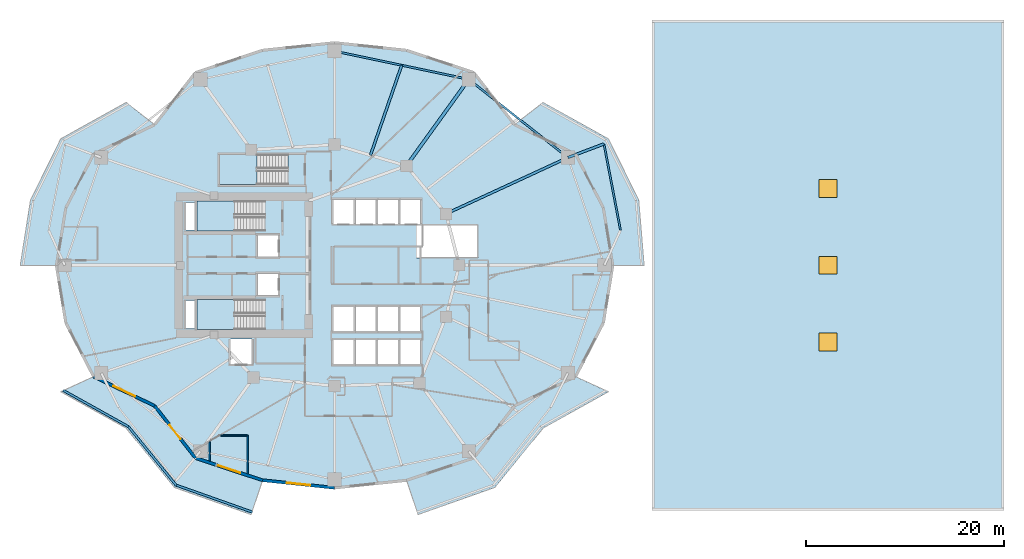
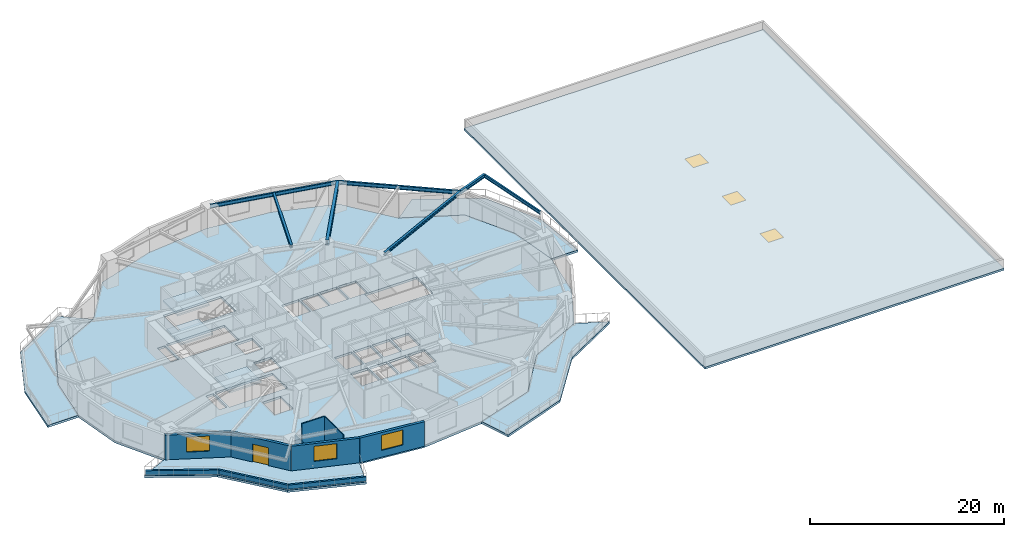
# One storey, part 2 of 13: 10 walls, 9 slabs, 7 beams, 6 windows, 1 door, 7 openings, 3 elements without a shape of their own.
"""IFC4 building model written with IfcOpenShell, lengths in metres."""

from ifc_helpers import new_model, si_unit, direction, frame, frame_2d, origin, origin_2d, place, context, subcontext, project, spatial, polyline, rectangle, i_section, outline, extrude, material, layer, layer_set, material_profile, profile_set, type_object, element, fill, aggregate, save


model = new_model("IFC4")

# Units and contexts
model_context = context("Model", 3, precision=1e-05, world=origin(), true_north=direction((0.0, 1.0)))
body_context = subcontext(model_context, "Body", "Model", "MODEL_VIEW")
ifc_project = project(units=[si_unit("LENGTHUNIT", "METRE"), si_unit("AREAUNIT", "SQUARE_METRE"), si_unit("VOLUMEUNIT", "CUBIC_METRE"), si_unit("PLANEANGLEUNIT", "RADIAN"), si_unit("MASSUNIT", "GRAM", prefix="KILO")], contexts=[model_context])

# Site, building, storey
site_placement = place(None, origin())
site = spatial("IfcSite", under=ifc_project, at=site_placement, CompositionType="ELEMENT")
building_placement = place(site_placement, origin())
building = spatial("IfcBuilding", under=site, at=building_placement, Name="Kolvaren Gate Tower and Convention Centre", CompositionType="ELEMENT")
storey_placement = place(building_placement, frame((0.0, 0.0, 26.5)))
storey = spatial("IfcBuildingStorey", under=building, at=storey_placement, Name="L05", CompositionType="ELEMENT", Elevation=26.5)

# Beams
ifc_material_1 = material(Name="Structural steel ASTM A992 Grade 345 MPa", Category="steel")
ifc_material_profile_1 = material_profile(ifc_material_1, i_section(OverallWidth=0.260009765625, OverallDepth=0.419921875, WebThickness=0.013427734375, FlangeThickness=0.0224609375, at=origin_2d()), Name="W410X132")
ifc_profile_set_1 = profile_set([ifc_material_profile_1], Name="Structural steel ASTM A992 Grade 345 MPa")
beam_type_1 = type_object("IfcBeamType", Name="STR-BM-W410X132", PredefinedType="BEAM", material=ifc_profile_set_1)
beam_1_placement = place(storey_placement, frame((53.710205078125, 37.8935546875, 3.360595703125), z_axis=(0.935293537157, 0.35387285761, 0.0), x_axis=(-0.35387285761, 0.935293537157, 0.0)))
element("IfcBeam", 1, at=beam_1_placement, inside=storey, type_object=beam_type_1, Name="Tower L06 Planted Balcony Outrigger Cantilever BC-1B", PredefinedType="BEAM", context=body_context, shape_type="SweptSolid", body=[
    extrude(i_section(OverallWidth=0.260009765625, OverallDepth=0.419921875, WebThickness=0.013427734375, FlangeThickness=0.0224609375, at=origin_2d()), origin(), (0.0, 0.0, 1.0), 3.900146484375),
])
ifc_material_profile_2 = material_profile(ifc_material_1, i_section(OverallWidth=0.327880859375, OverallDepth=0.6279296875, WebThickness=0.0166015625, FlangeThickness=0.027587890625, at=origin_2d()), Name="W610X217")
ifc_profile_set_2 = profile_set([ifc_material_profile_2], Name="Structural steel ASTM A992 Grade 345 MPa")
beam_type_2 = type_object("IfcBeamType", Name="STR-BM-W610X217", PredefinedType="BEAM", material=ifc_profile_set_2)
beam_2_placement = place(storey_placement, frame((37.381591796875, 37.054931640625, 3.256103515625), z_axis=(0.585205244783, 0.81088520857, 0.0), x_axis=(-0.81088520857, 0.585205244783, 0.0)))
element("IfcBeam", 2, at=beam_2_placement, inside=storey, type_object=beam_type_2, Name="Tower L05 Radial Floor Girder RB-03", PredefinedType="BEAM", context=body_context, shape_type="SweptSolid", body=[
    extrude(i_section(OverallWidth=0.327880859375, OverallDepth=0.6279296875, WebThickness=0.0166015625, FlangeThickness=0.027587890625, at=origin_2d()), origin(), (0.0, 0.0, 1.0), 10.780029296875),
])
ifc_material_profile_3 = material_profile(ifc_material_1, i_section(OverallWidth=0.2548828125, OverallDepth=0.35693359375, WebThickness=0.010498046875, FlangeThickness=0.018310546875, at=origin_2d()), Name="W360X101")
ifc_profile_set_3 = profile_set([ifc_material_profile_3], Name="Structural steel ASTM A992 Grade 345 MPa")
beam_type_3 = type_object("IfcBeamType", Name="STR-JS-W360X101", PredefinedType="JOIST", material=ifc_profile_set_3)
beam_3_placement = place(storey_placement, frame((41.382080078125, 32.199462890625, 3.3916015625), z_axis=(0.907842006347, 0.419312403241, 0.0), x_axis=(-0.419312403241, 0.907842006347, 0.0)))
element("IfcBeam", 3, at=beam_3_placement, inside=storey, type_object=beam_type_3, Name="Tower L05 Radial Floor Girder RB-02", PredefinedType="JOIST", context=body_context, shape_type="SweptSolid", body=[
    extrude(i_section(OverallWidth=0.2548828125, OverallDepth=0.35693359375, WebThickness=0.010498046875, FlangeThickness=0.018310546875, at=origin_2d()), origin(), (0.0, 0.0, 1.0), 13.57958984375),
])
beam_4_placement = place(storey_placement, frame((33.75341796875, 38.12744140625, 3.3916015625), z_axis=(0.327647050942, 0.944800195813, 0.0), x_axis=(-0.944800195813, 0.327647050942, 0.0)))
element("IfcBeam", 4, at=beam_4_placement, inside=storey, type_object=beam_type_3, Name="Tower L05 Secondary Composite Floor Joist J-03.1", PredefinedType="JOIST", context=body_context, shape_type="SweptSolid", body=[
    extrude(i_section(OverallWidth=0.2548828125, OverallDepth=0.35693359375, WebThickness=0.010498046875, FlangeThickness=0.018310546875, at=origin_2d()), origin(), (0.0, 0.0, 1.0), 9.627197265625),
])
ifc_material_profile_4 = material_profile(ifc_material_1, i_section(OverallWidth=0.180908203125, OverallDepth=0.4169921875, WebThickness=0.010986328125, FlangeThickness=0.018310546875, at=origin_2d()), Name="W410X85")
ifc_profile_set_4 = profile_set([ifc_material_profile_4], Name="Structural steel ASTM A992 Grade 345 MPa")
beam_type_4 = type_object("IfcBeamType", Name="STR-SP-W410X85", PredefinedType="SPANDREL", material=ifc_profile_set_4)
beam_5_placement = place(storey_placement, frame((59.029296875, 30.543212890625, 3.362060546875), z_axis=(-0.188028301932, 0.98216361044, 0.0), x_axis=(-0.98216361044, -0.188028301932, 0.0)))
element("IfcBeam", 5, at=beam_5_placement, inside=storey, type_object=beam_type_4, Name="Tower L06 Planted Balcony Header Tie Beam BT-1", PredefinedType="SPANDREL", context=body_context, shape_type="SweptSolid", body=[
    extrude(i_section(OverallWidth=0.180908203125, OverallDepth=0.4169921875, WebThickness=0.010986328125, FlangeThickness=0.018310546875, at=origin_2d()), origin(), (0.0, 0.0, 1.0), 8.888916015625),
])
ifc_material_profile_5 = material_profile(ifc_material_1, i_section(OverallWidth=0.194091796875, OverallDepth=0.468994140625, WebThickness=0.0126953125, FlangeThickness=0.0205078125, at=origin_2d()), Name="W460X106")
ifc_profile_set_5 = profile_set([ifc_material_profile_5], Name="Structural steel ASTM A992 Grade 345 MPa")
beam_type_5 = type_object("IfcBeamType", Name="STR-SP-W460X106", PredefinedType="SPANDREL", material=ifc_profile_set_5)
beam_6_placement = place(storey_placement, frame((53.710205078125, 37.8935546875, 3.33544921875), z_axis=(-0.785176498861, 0.619272044933, 0.0), x_axis=(-0.619272044933, -0.785176498861, 0.0)))
element("IfcBeam", 6, at=beam_6_placement, inside=storey, type_object=beam_type_5, Name="Tower L05 Perimeter Spandrel Beam SP-02", PredefinedType="SPANDREL", context=body_context, shape_type="SweptSolid", body=[
    extrude(i_section(OverallWidth=0.194091796875, OverallDepth=0.468994140625, WebThickness=0.0126953125, FlangeThickness=0.0205078125, at=origin_2d()), origin(), (0.0, 0.0, 1.0), 12.761474609375),
])
beam_7_placement = place(storey_placement, frame((43.690185546875, 45.79638671875, 3.33544921875), z_axis=(-0.978583407863, 0.205850707685, 0.0), x_axis=(-0.205850707685, -0.978583407863, 0.0)))
element("IfcBeam", 7, at=beam_7_placement, inside=storey, type_object=beam_type_5, Name="Tower L05 Perimeter Spandrel Beam SP-03", PredefinedType="SPANDREL", context=body_context, shape_type="SweptSolid", body=[
    extrude(i_section(OverallWidth=0.194091796875, OverallDepth=0.468994140625, WebThickness=0.0126953125, FlangeThickness=0.0205078125, at=origin_2d()), origin(), (0.0, 0.0, 1.0), 13.862060546875),
])

# Slabs
ifc_material_2 = material(Name="Concrete C50/60", Category="concrete")
ifc_layer_1 = layer(ifc_material_2, 0.27001953125)
ifc_layer_set_1 = layer_set([ifc_layer_1], Name="Concrete C50/60")
slab_type_1 = type_object("IfcSlabType", Name="STR-SL-BALC-270", PredefinedType="FLOOR", material=ifc_layer_set_1)
slab_1_placement = place(storey_placement, frame((0.0, 0.0, -0.27001953125)))
element("IfcSlab", 8, at=slab_1_placement, inside=storey, type_object=slab_type_1, Name="Tower L05 Planted Balcony Terrace Slab 1 (East)", PredefinedType="FLOOR", context=body_context, shape_type="SweptSolid", body=[
    extrude(outline(polyline([(58.25, 27.0), (57.291748046875, 32.823486328125), (54.48193359375, 38.25), (48.315185546875, 41.212890625), (51.19921875, 43.46630859375), (57.8046875, 39.78466796875), (60.870361328125, 33.590576171875), (61.419921875, 27.0), (58.25, 27.0)])), origin(), (0.0, 0.0, 1.0), 0.27001953125),
])
slab_2_placement = place(storey_placement, frame((0.0, 0.0, -0.27001953125)))
element("IfcSlab", 9, at=slab_2_placement, inside=storey, type_object=slab_type_1, Name="Tower L05 Planted Balcony Terrace Slab 2 (West)", PredefinedType="FLOOR", context=body_context, shape_type="SweptSolid", body=[
    extrude(outline(polyline([(11.934814453125, 41.212890625), (5.76806640625, 38.25), (2.958251953125, 32.823486328125), (2.0, 27.0), (-1.659912109375, 27.0), (-0.620361328125, 33.590576171875), (2.4453125, 39.78466796875), (9.05078125, 43.46630859375), (11.934814453125, 41.212890625)])), origin(), (0.0, 0.0, 1.0), 0.27001953125),
])
slab_3_placement = place(storey_placement, frame((0.0, 0.0, -0.27001953125)))
element("IfcSlab", 10, at=slab_3_placement, inside=storey, type_object=slab_type_1, Name="Tower L05 Planted Balcony Terrace Slab 3 (South)", PredefinedType="FLOOR", context=body_context, shape_type="SweptSolid", body=[
    extrude(outline(polyline([(5.76806640625, 15.75), (11.934814453125, 12.787109375), (16.0625, 7.514404296875), (22.845703125, 5.2666015625), (21.683349609375, 1.796142578125), (13.920654296875, 4.546630859375), (9.05078125, 10.53369140625), (2.4453125, 14.21533203125), (5.76806640625, 15.75)])), origin(), (0.0, 0.0, 1.0), 0.27001953125),
])
slab_4_placement = place(storey_placement, frame((0.0, 0.0, -0.27001953125)))
element("IfcSlab", 11, at=slab_4_placement, inside=storey, type_object=slab_type_1, Name="Tower L05 Planted Balcony Terrace Slab 4 (South)", PredefinedType="FLOOR", context=body_context, shape_type="SweptSolid", body=[
    extrude(outline(polyline([(37.404296875, 5.2666015625), (44.1875, 7.514404296875), (48.315185546875, 12.787109375), (54.48193359375, 15.75), (57.8046875, 14.21533203125), (51.19921875, 10.53369140625), (46.329345703125, 4.546630859375), (38.566650390625, 1.796142578125), (37.404296875, 5.2666015625)])), origin(), (0.0, 0.0, 1.0), 0.27001953125),
])
ifc_layer_2 = layer(ifc_material_2, 0.280029296875)
ifc_layer_set_2 = layer_set([ifc_layer_2], Name="Concrete C50/60")
slab_type_2 = type_object("IfcSlabType", Name="STR-SL-FLR-280", PredefinedType="FLOOR", material=ifc_layer_set_2)
slab_5_placement = place(storey_placement, frame((0.0, 0.0, -0.280029296875)))
element("IfcSlab", 12, at=slab_5_placement, inside=storey, type_object=slab_type_2, Name="Tower L05 Structural Floor Slab", PredefinedType="FLOOR", context=body_context, shape_type="SweptSolid", body=[
    extrude(outline(polyline([(58.25, 27.0), (57.291748046875, 32.823486328125), (54.48193359375, 38.25), (48.315185546875, 41.212890625), (44.1875, 46.485595703125), (37.404296875, 48.7333984375), (30.125, 49.5), (22.845703125, 48.7333984375), (16.0625, 46.485595703125), (11.934814453125, 41.212890625), (5.76806640625, 38.25), (2.958251953125, 32.823486328125), (2.0, 27.0), (2.958251953125, 21.176513671875), (5.76806640625, 15.75), (11.934814453125, 12.787109375), (16.0625, 7.514404296875), (22.845703125, 5.2666015625), (30.125, 4.5), (37.404296875, 5.2666015625), (44.1875, 7.514404296875), (48.315185546875, 12.787109375), (54.48193359375, 15.75), (57.291748046875, 21.176513671875), (58.25, 27.0)]), holes=[polyline([(38.39990234375, 31.10009765625), (44.60009765625, 31.10009765625), (44.60009765625, 27.75), (38.39990234375, 27.75), (38.39990234375, 31.10009765625)]), polyline([(36.75, 33.64990234375), (38.800048828125, 33.64990234375), (38.800048828125, 31.199951171875), (36.75, 31.199951171875), (36.75, 33.64990234375)]), polyline([(36.75, 22.800048828125), (38.800048828125, 22.800048828125), (38.800048828125, 20.35009765625), (36.75, 20.35009765625), (36.75, 22.800048828125)]), polyline([(36.75, 19.449951171875), (38.800048828125, 19.449951171875), (38.800048828125, 17.0), (36.75, 17.0), (36.75, 19.449951171875)]), polyline([(34.5, 33.64990234375), (36.550048828125, 33.64990234375), (36.550048828125, 31.199951171875), (34.5, 31.199951171875), (34.5, 33.64990234375)]), polyline([(34.5, 20.35009765625), (34.5, 22.800048828125), (36.550048828125, 22.800048828125), (36.550048828125, 20.35009765625), (34.5, 20.35009765625)]), polyline([(34.5, 17.0), (34.5, 19.449951171875), (36.550048828125, 19.449951171875), (36.550048828125, 17.0), (34.5, 17.0)]), polyline([(32.25, 31.199951171875), (32.25, 33.64990234375), (34.300048828125, 33.64990234375), (34.300048828125, 31.199951171875), (32.25, 31.199951171875)]), polyline([(32.25, 22.800048828125), (34.300048828125, 22.800048828125), (34.300048828125, 20.35009765625), (32.25, 20.35009765625), (32.25, 22.800048828125)]), polyline([(32.25, 17.0), (32.25, 19.449951171875), (34.300048828125, 19.449951171875), (34.300048828125, 17.0), (32.25, 17.0)]), polyline([(30.0, 33.64990234375), (32.050048828125, 33.64990234375), (32.050048828125, 31.199951171875), (30.0, 31.199951171875), (30.0, 33.64990234375)]), polyline([(30.0, 20.35009765625), (30.0, 22.800048828125), (32.050048828125, 22.800048828125), (32.050048828125, 20.35009765625), (30.0, 20.35009765625)]), polyline([(30.0, 17.0), (30.0, 19.449951171875), (32.050048828125, 19.449951171875), (32.050048828125, 17.0), (30.0, 17.0)]), polyline([(25.39990234375, 38.199951171875), (25.39990234375, 35.159912109375), (18.5, 35.159912109375), (18.5, 38.199951171875), (25.39990234375, 38.199951171875)]), polyline([(22.35009765625, 27.840087890625), (22.35009765625, 30.0400390625), (24.39990234375, 30.0400390625), (24.39990234375, 27.840087890625), (22.35009765625, 27.840087890625)]), polyline([(22.35009765625, 23.9599609375), (22.35009765625, 26.159912109375), (24.39990234375, 26.159912109375), (24.39990234375, 23.9599609375), (22.35009765625, 23.9599609375)]), polyline([(23.10009765625, 30.4599609375), (16.199951171875, 30.4599609375), (16.199951171875, 33.5), (23.10009765625, 33.5), (23.10009765625, 30.4599609375)]), polyline([(23.10009765625, 20.5), (16.199951171875, 20.5), (16.199951171875, 23.5400390625), (23.10009765625, 23.5400390625), (23.10009765625, 20.5)]), polyline([(19.60009765625, 17.0), (19.60009765625, 19.550048828125), (21.75, 19.550048828125), (21.75, 17.0), (19.60009765625, 17.0)]), polyline([(15.080078125, 23.419921875), (15.969970703125, 23.419921875), (15.969970703125, 20.6298828125), (15.080078125, 20.6298828125), (15.080078125, 23.419921875)]), polyline([(15.080078125, 30.580078125), (15.080078125, 33.3701171875), (15.969970703125, 33.3701171875), (15.969970703125, 30.580078125), (15.080078125, 30.580078125)])]), origin(), (0.0, 0.0, 1.0), 0.280029296875),
])

# Stair, slab
stair_type = type_object("IfcStairType", Name="STR-STAIR-CORE", PredefinedType="HALF_TURN_STAIR", material=ifc_material_2)
stair_1_placement = place(storey_placement, origin())
stair_1 = element("IfcStair", 13, at=stair_1_placement, inside=storey, type_object=stair_type, Name="L05 Tower North Exit Stair ST-T1", PredefinedType="HALF_TURN_STAIR")
ifc_layer_3 = layer(ifc_material_2, 0.199951171875)
ifc_layer_set_3 = layer_set([ifc_layer_3], Name="Concrete C50/60")
slab_type_3 = type_object("IfcSlabType", Name="STR-SL-LAND-200", PredefinedType="LANDING", material=ifc_layer_set_3)
slab_6_placement = place(storey_placement, frame((0.0, 0.0, 1.72509765625)))
slab_6 = element("IfcSlab", 14, at=slab_6_placement, type_object=slab_type_3, Name="ST-T1 landing 1", PredefinedType="LANDING", context=body_context, shape_type="SweptSolid", body=[
    extrude(outline(polyline([(20.0, 33.5), (16.199951171875, 33.5), (16.199951171875, 30.4599609375), (20.0, 30.4599609375), (20.0, 33.5)])), origin(), (0.0, 0.0, 1.0), 0.199951171875),
])
aggregate(stair_1, [slab_6])

stair_2_placement = place(storey_placement, origin())
stair_2 = element("IfcStair", 15, at=stair_2_placement, inside=storey, type_object=stair_type, Name="L05 Tower South Exit Stair ST-T2", PredefinedType="HALF_TURN_STAIR")
slab_7_placement = place(storey_placement, frame((0.0, 0.0, 1.72509765625)))
slab_7 = element("IfcSlab", 16, at=slab_7_placement, type_object=slab_type_3, Name="ST-T2 landing 1", PredefinedType="LANDING", context=body_context, shape_type="SweptSolid", body=[
    extrude(outline(polyline([(20.0, 23.5400390625), (16.199951171875, 23.5400390625), (16.199951171875, 20.5), (20.0, 20.5), (20.0, 23.5400390625)])), origin(), (0.0, 0.0, 1.0), 0.199951171875),
])
aggregate(stair_2, [slab_7])

stair_3_placement = place(storey_placement, origin())
stair_3 = element("IfcStair", 17, at=stair_3_placement, inside=storey, type_object=stair_type, Name="L05 Tower Mid-Zone Exit Stair ST-T3", PredefinedType="HALF_TURN_STAIR")
slab_8_placement = place(storey_placement, frame((0.0, 0.0, 1.72509765625)))
slab_8 = element("IfcSlab", 18, at=slab_8_placement, type_object=slab_type_3, Name="ST-T3 landing 1", PredefinedType="LANDING", context=body_context, shape_type="SweptSolid", body=[
    extrude(outline(polyline([(22.300048828125, 38.199951171875), (18.5, 38.199951171875), (18.5, 35.159912109375), (22.300048828125, 35.159912109375), (22.300048828125, 38.199951171875)])), origin(), (0.0, 0.0, 1.0), 0.199951171875),
])
aggregate(stair_3, [slab_8])

# Slab, openings, windows
ifc_material_3 = material(Name="Concrete C40/50", Category="concrete")
ifc_layer_4 = layer(ifc_material_3, 0.25)
ifc_layer_set_4 = layer_set([ifc_layer_4], Name="Concrete C40/50")
slab_type_4 = type_object("IfcSlabType", Name="STR-SL-ROOF-250", PredefinedType="ROOF", material=ifc_layer_set_4)
slab_9_placement = place(storey_placement, frame((0.0, 0.0, -0.25)))
slab_9 = element("IfcSlab", 19, at=slab_9_placement, inside=storey, type_object=slab_type_4, Name="Convention Centre Plenary Hall Structural Roof Slab", PredefinedType="ROOF", context=body_context, shape_type="SweptSolid", body=[
    extrude(outline(polyline([(62.199951171875, 2.199951171875), (97.800048828125, 2.199951171875), (97.800048828125, 51.800048828125), (62.199951171875, 51.800048828125), (62.199951171875, 2.199951171875)])), origin(), (0.0, 0.0, 1.0), 0.25),
])
opening_1_placement = place(slab_9_placement, frame((80.0, 19.25, 0.0)))
opening_1 = element("IfcOpeningElement", 20, at=opening_1_placement, cuts=slab_9, Name="Opening SK-01", PredefinedType="OPENING", context=body_context, shape_type="SweptSolid", body=[
    extrude(rectangle(XDim=1.800048828125, YDim=1.800048828125, at=origin_2d()), frame((0.0, 0.0, -0.010009765625)), (0.0, 0.0, 1.0), 0.27001953125),
])
opening_2_placement = place(slab_9_placement, frame((80.0, 27.0, 0.0)))
opening_2 = element("IfcOpeningElement", 21, at=opening_2_placement, cuts=slab_9, Name="Opening SK-01", PredefinedType="OPENING", context=body_context, shape_type="SweptSolid", body=[
    extrude(rectangle(XDim=1.800048828125, YDim=1.800048828125, at=origin_2d()), frame((0.0, 0.0, -0.010009765625)), (0.0, 0.0, 1.0), 0.27001953125),
])
opening_3_placement = place(slab_9_placement, frame((80.0, 34.75, 0.0)))
opening_3 = element("IfcOpeningElement", 22, at=opening_3_placement, cuts=slab_9, Name="Opening SK-01", PredefinedType="OPENING", context=body_context, shape_type="SweptSolid", body=[
    extrude(rectangle(XDim=1.800048828125, YDim=1.800048828125, at=origin_2d()), frame((0.0, 0.0, -0.010009765625)), (0.0, 0.0, 1.0), 0.27001953125),
])
ifc_material_4 = material(Name="Low-E Triple Insulated Glazing Unit 44 mm", Category="glass")
window_type_1 = type_object("IfcWindowType", Name="ARCH-WN-SKY-1800", PartitioningType="SINGLE_PANEL", PredefinedType="SKYLIGHT", material=ifc_material_4)
window_1_placement = place(opening_1_placement, frame((0.0, 0.0, 0.199951171875)))
window_1 = element("IfcWindow", 23, at=window_1_placement, inside=storey, type_object=window_type_1, Name="Convention Plenary Roof Acoustic Skylight SK-01", OverallHeight=1.800048828125, OverallWidth=1.800048828125, PartitioningType="SINGLE_PANEL", PredefinedType="SKYLIGHT", context=body_context, shape_type="SweptSolid", body=[
    extrude(rectangle(XDim=1.800048828125, YDim=1.800048828125, at=origin_2d()), origin(), (0.0, 0.0, 1.0), 0.050048828125),
])
fill(opening_1, window_1)
window_2_placement = place(opening_2_placement, frame((0.0, 0.0, 0.199951171875)))
window_2 = element("IfcWindow", 24, at=window_2_placement, inside=storey, type_object=window_type_1, Name="Convention Plenary Roof Acoustic Skylight SK-02", OverallHeight=1.800048828125, OverallWidth=1.800048828125, PartitioningType="SINGLE_PANEL", PredefinedType="SKYLIGHT", context=body_context, shape_type="SweptSolid", body=[
    extrude(rectangle(XDim=1.800048828125, YDim=1.800048828125, at=origin_2d()), origin(), (0.0, 0.0, 1.0), 0.050048828125),
])
fill(opening_2, window_2)
window_3_placement = place(opening_3_placement, frame((0.0, 0.0, 0.199951171875)))
window_3 = element("IfcWindow", 25, at=window_3_placement, inside=storey, type_object=window_type_1, Name="Convention Plenary Roof Acoustic Skylight SK-03", OverallHeight=1.800048828125, OverallWidth=1.800048828125, PartitioningType="SINGLE_PANEL", PredefinedType="SKYLIGHT", context=body_context, shape_type="SweptSolid", body=[
    extrude(rectangle(XDim=1.800048828125, YDim=1.800048828125, at=origin_2d()), origin(), (0.0, 0.0, 1.0), 0.050048828125),
])
fill(opening_3, window_3)

# Walls
ifc_material_5 = material(Name="Fire-Rated Acoustic Gypsum Stud Partition", Category="gypsum")
ifc_layer_5 = layer(ifc_material_5, 0.1201171875)
ifc_layer_set_5 = layer_set([ifc_layer_5], Name="Fire-Rated Acoustic Gypsum Stud Partition")
wall_type_1 = type_object("IfcWallType", Name="ARCH-WL-PART-120", PredefinedType="PARTITIONING", material=ifc_layer_set_5)
wall_1_placement = place(storey_placement, frame((21.35009765625, 5.92236328125, 0.0), z_axis=(0.0, 0.0, 1.0), x_axis=(0.0, 1.0, 0.0)))
element("IfcWall", 26, at=wall_1_placement, inside=storey, type_object=wall_type_1, Name="Interior Partition WL-L05-INT-046", PredefinedType="PARTITIONING", context=body_context, shape_type="SweptSolid", body=[
    extrude(rectangle(XDim=3.877685546875, YDim=0.1201171875, at=frame_2d((1.93896484375, 0.0))), origin(), (0.0, 0.0, 1.0), 3.570068359375),
])
wall_2_placement = place(storey_placement, frame((18.60498046875, 9.800048828125, 0.0), z_axis=(0.0, 0.0, 1.0), x_axis=(1.0, 0.0, 0.0)))
element("IfcWall", 27, at=wall_2_placement, inside=storey, type_object=wall_type_1, Name="Interior Partition WL-L05-INT-047", PredefinedType="PARTITIONING", context=body_context, shape_type="SweptSolid", body=[
    extrude(rectangle(XDim=2.68310546875, YDim=0.1201171875, at=frame_2d((1.341552734375, 0.0))), origin(), (0.0, 0.0, 1.0), 3.570068359375),
])
wall_3_placement = place(storey_placement, frame((17.5, 7.1982421875, 0.0), z_axis=(0.0, 0.0, 1.0), x_axis=(0.0, 1.0, 0.0)))
element("IfcWall", 28, at=wall_3_placement, inside=storey, type_object=wall_type_1, Name="Interior Partition WL-L05-INT-049", PredefinedType="PARTITIONING", context=body_context, shape_type="SweptSolid", body=[
    extrude(rectangle(XDim=1.9619140625, YDim=0.1201171875, at=frame_2d((0.98095703125, 0.0))), origin(), (0.0, 0.0, 1.0), 2.93408203125),
])
ifc_material_6 = material(Name="Piedmont Cream Honed Limestone Cladding", Category="masonry")
ifc_layer_6 = layer(ifc_material_6, 0.219970703125)
ifc_layer_set_6 = layer_set([ifc_layer_6], Name="Piedmont Cream Honed Limestone Cladding")
wall_type_2 = type_object("IfcWallType", Name="ARCH-WL-PLANTER-220", PredefinedType="PARAPET", material=ifc_layer_set_6)
wall_4_placement = place(storey_placement, frame((2.685302734375, 14.359375, 0.0), z_axis=(0.0, 0.0, 1.0), x_axis=(0.873500119739, -0.48682393205, 0.0)))
element("IfcWall", 29, at=wall_4_placement, inside=storey, type_object=wall_type_2, Name="Vertical-Forest Balcony Stone Planter Kerb PK-L05-3.1", PredefinedType="PARAPET", context=body_context, shape_type="SweptSolid", body=[
    extrude(rectangle(XDim=7.56201171875, YDim=0.219970703125, at=frame_2d((3.781005859375, 0.0))), origin(), (0.0, 0.0, 1.0), 0.52001953125),
])
wall_5_placement = place(storey_placement, frame((9.244384765625, 10.736083984375, 0.0), z_axis=(0.0, 0.0, 1.0), x_axis=(0.630997450658, -0.775784903993, 0.0)))
element("IfcWall", 30, at=wall_5_placement, inside=storey, type_object=wall_type_2, Name="Vertical-Forest Balcony Stone Planter Kerb PK-L05-3.2", PredefinedType="PARAPET", context=body_context, shape_type="SweptSolid", body=[
    extrude(rectangle(XDim=7.7177734375, YDim=0.219970703125, at=frame_2d((3.85888671875, 0.0))), origin(), (0.0, 0.0, 1.0), 0.52001953125),
])
wall_6_placement = place(storey_placement, frame((14.04931640625, 4.79541015625, 0.0), z_axis=(0.0, 0.0, 1.0), x_axis=(0.942581348797, -0.333976647237, 0.0)))
element("IfcWall", 31, at=wall_6_placement, inside=storey, type_object=wall_type_2, Name="Vertical-Forest Balcony Stone Planter Kerb PK-L05-3.3", PredefinedType="PARAPET", context=body_context, shape_type="SweptSolid", body=[
    extrude(rectangle(XDim=8.235595703125, YDim=0.219970703125, at=frame_2d((4.11767578125, 0.0))), origin(), (0.0, 0.0, 1.0), 0.52001953125),
])

# Wall, opening, window
ifc_layer_7 = layer(ifc_material_6, 0.300048828125)
ifc_layer_set_7 = layer_set([ifc_layer_7], Name="Piedmont Cream Honed Limestone Cladding")
wall_type_3 = type_object("IfcWallType", Name="ARCH-WL-STONE-300", PredefinedType="SOLIDWALL", material=ifc_layer_set_7)
wall_7_placement = place(storey_placement, frame((5.76806640625, 15.75, 0.0), z_axis=(0.0, 0.0, 1.0), x_axis=(0.901360393999, -0.433069786673, 0.0)))
wall_7 = element("IfcWall", 32, at=wall_7_placement, inside=storey, type_object=wall_type_3, Name="Tower L05 Honed Stone Spandrel Wall EW-14", PredefinedType="SOLIDWALL", context=body_context, shape_type="SweptSolid", body=[
    extrude(rectangle(XDim=6.841552734375, YDim=0.300048828125, at=frame_2d((3.4208984375, 0.0))), origin(), (0.0, 0.0, 1.0), 3.093017578125),
])
opening_4_placement = place(wall_7_placement, frame((2.220947265625, 0.0, 0.85009765625)))
opening_4 = element("IfcOpeningElement", 33, at=opening_4_placement, cuts=wall_7, Name="Opening W-01", PredefinedType="OPENING", context=body_context, shape_type="SweptSolid", body=[
    extrude(rectangle(XDim=2.39990234375, YDim=1.89990234375, at=frame_2d((1.199951171875, 0.949951171875))), frame((0.0, 0.159912109375, 0.0), z_axis=(0.0, -1.0, 0.0), x_axis=(1.0, 0.0, 0.0)), (0.0, 0.0, 1.0), 0.320068359375),
])
window_type_2 = type_object("IfcWindowType", Name="ARCH-WN-OFF-2400", PartitioningType="SINGLE_PANEL", PredefinedType="WINDOW", material=ifc_material_4)
window_4_placement = place(opening_4_placement, origin())
window_4 = element("IfcWindow", 34, at=window_4_placement, inside=storey, type_object=window_type_2, Name="Tower L05 Punched Stone Facade Window W-14", OverallHeight=1.89990234375, OverallWidth=2.39990234375, PartitioningType="SINGLE_PANEL", PredefinedType="WINDOW", context=body_context, shape_type="SweptSolid", body=[
    extrude(rectangle(XDim=2.39990234375, YDim=1.89990234375, at=frame_2d((1.199951171875, 0.949951171875))), frame((0.0, 0.030029296875, 0.0), z_axis=(0.0, -1.0, 0.0), x_axis=(1.0, 0.0, 0.0)), (0.0, 0.0, 1.0), 0.06005859375),
])
fill(opening_4, window_4)

# Wall, opening, door
wall_8_placement = place(storey_placement, frame((11.934814453125, 12.787109375, 0.0), z_axis=(0.0, 0.0, 1.0), x_axis=(0.616421309777, -0.787416515482, 0.0)))
wall_8 = element("IfcWall", 35, at=wall_8_placement, inside=storey, type_object=wall_type_3, Name="Tower L05 Honed Stone Spandrel Wall EW-15", PredefinedType="SOLIDWALL", context=body_context, shape_type="SweptSolid", body=[
    extrude(rectangle(XDim=6.6962890625, YDim=0.300048828125, at=frame_2d((3.34814453125, 0.0))), origin(), (0.0, 0.0, 1.0), 3.093017578125),
])
opening_5_placement = place(wall_8_placement, frame((2.447998046875, 0.0, 0.0)))
opening_5 = element("IfcOpeningElement", 36, at=opening_5_placement, cuts=wall_8, Name="Opening DB-01", PredefinedType="OPENING", context=body_context, shape_type="SweptSolid", body=[
    extrude(rectangle(XDim=1.800048828125, YDim=2.25, at=frame_2d((0.89990234375, 1.125))), frame((0.0, 0.159912109375, 0.0), z_axis=(0.0, -1.0, 0.0), x_axis=(1.0, 0.0, 0.0)), (0.0, 0.0, 1.0), 0.320068359375),
])
ifc_material_7 = material(Name="Anodized Architectural Aluminium Alloy 6063-T6", Category="aluminium")
door_type = type_object("IfcDoorType", Name="ARCH-DR-BALC-1800", OperationType="SLIDING_TO_LEFT", PredefinedType="DOOR", material=ifc_material_7)
door_placement = place(opening_5_placement, frame((1.800048828125, 0.0, 0.0), z_axis=(0.0, 0.0, 1.0), x_axis=(-1.0, 0.0, 0.0)))
door = element("IfcDoor", 37, at=door_placement, inside=storey, type_object=door_type, Name="Planted Sky Terrace Access Door DB-L05-15", OperationType="SLIDING_TO_LEFT", OverallHeight=2.25, OverallWidth=1.800048828125, PredefinedType="DOOR", context=body_context, shape_type="SweptSolid", body=[
    extrude(rectangle(XDim=1.800048828125, YDim=2.25, at=frame_2d((0.89990234375, 1.125))), frame((0.0, 0.02490234375, 0.0), z_axis=(0.0, -1.0, 0.0), x_axis=(1.0, 0.0, 0.0)), (0.0, 0.0, 1.0), 0.050048828125),
])
fill(opening_5, door)

# Wall, opening, window
wall_9_placement = place(storey_placement, frame((16.0625, 7.514404296875, 0.0), z_axis=(0.0, 0.0, 1.0), x_axis=(0.949238715533, -0.31455661006, 0.0)))
wall_9 = element("IfcWall", 38, at=wall_9_placement, inside=storey, type_object=wall_type_3, Name="Tower L05 Honed Stone Spandrel Wall EW-16", PredefinedType="SOLIDWALL", context=body_context, shape_type="SweptSolid", body=[
    extrude(rectangle(XDim=7.14599609375, YDim=0.300048828125, at=frame_2d((3.572998046875, 0.0))), origin(), (0.0, 0.0, 1.0), 3.093017578125),
])
opening_6_placement = place(wall_9_placement, frame((2.373046875, 0.0, 0.85009765625)))
opening_6 = element("IfcOpeningElement", 39, at=opening_6_placement, cuts=wall_9, Name="Opening W-01", PredefinedType="OPENING", context=body_context, shape_type="SweptSolid", body=[
    extrude(rectangle(XDim=2.39990234375, YDim=1.89990234375, at=frame_2d((1.199951171875, 0.949951171875))), frame((0.0, 0.159912109375, 0.0), z_axis=(0.0, -1.0, 0.0), x_axis=(1.0, 0.0, 0.0)), (0.0, 0.0, 1.0), 0.320068359375),
])
window_5_placement = place(opening_6_placement, origin())
window_5 = element("IfcWindow", 40, at=window_5_placement, inside=storey, type_object=window_type_2, Name="Tower L05 Punched Stone Facade Window W-16", OverallHeight=1.89990234375, OverallWidth=2.39990234375, PartitioningType="SINGLE_PANEL", PredefinedType="WINDOW", context=body_context, shape_type="SweptSolid", body=[
    extrude(rectangle(XDim=2.39990234375, YDim=1.89990234375, at=frame_2d((1.199951171875, 0.949951171875))), frame((0.0, 0.030029296875, 0.0), z_axis=(0.0, -1.0, 0.0), x_axis=(1.0, 0.0, 0.0)), (0.0, 0.0, 1.0), 0.06005859375),
])
fill(opening_6, window_5)

wall_10_placement = place(storey_placement, frame((22.845703125, 5.2666015625, 0.0), z_axis=(0.0, 0.0, 1.0), x_axis=(0.994500334317, -0.104733399844, 0.0)))
wall_10 = element("IfcWall", 41, at=wall_10_placement, inside=storey, type_object=wall_type_3, Name="Tower L05 Honed Stone Spandrel Wall EW-17", PredefinedType="SOLIDWALL", context=body_context, shape_type="SweptSolid", body=[
    extrude(rectangle(XDim=7.319580078125, YDim=0.300048828125, at=frame_2d((3.65966796875, 0.0))), origin(), (0.0, 0.0, 1.0), 3.093017578125),
])
opening_7_placement = place(wall_10_placement, frame((2.4599609375, 0.0, 0.85009765625)))
opening_7 = element("IfcOpeningElement", 42, at=opening_7_placement, cuts=wall_10, Name="Opening W-01", PredefinedType="OPENING", context=body_context, shape_type="SweptSolid", body=[
    extrude(rectangle(XDim=2.39990234375, YDim=1.89990234375, at=frame_2d((1.199951171875, 0.949951171875))), frame((0.0, 0.159912109375, 0.0), z_axis=(0.0, -1.0, 0.0), x_axis=(1.0, 0.0, 0.0)), (0.0, 0.0, 1.0), 0.320068359375),
])
window_6_placement = place(opening_7_placement, origin())
window_6 = element("IfcWindow", 43, at=window_6_placement, inside=storey, type_object=window_type_2, Name="Tower L05 Punched Stone Facade Window W-17", OverallHeight=1.89990234375, OverallWidth=2.39990234375, PartitioningType="SINGLE_PANEL", PredefinedType="WINDOW", context=body_context, shape_type="SweptSolid", body=[
    extrude(rectangle(XDim=2.39990234375, YDim=1.89990234375, at=frame_2d((1.199951171875, 0.949951171875))), frame((0.0, 0.030029296875, 0.0), z_axis=(0.0, -1.0, 0.0), x_axis=(1.0, 0.0, 0.0)), (0.0, 0.0, 1.0), 0.06005859375),
])
fill(opening_7, window_6)

save(model, "model.ifc")
